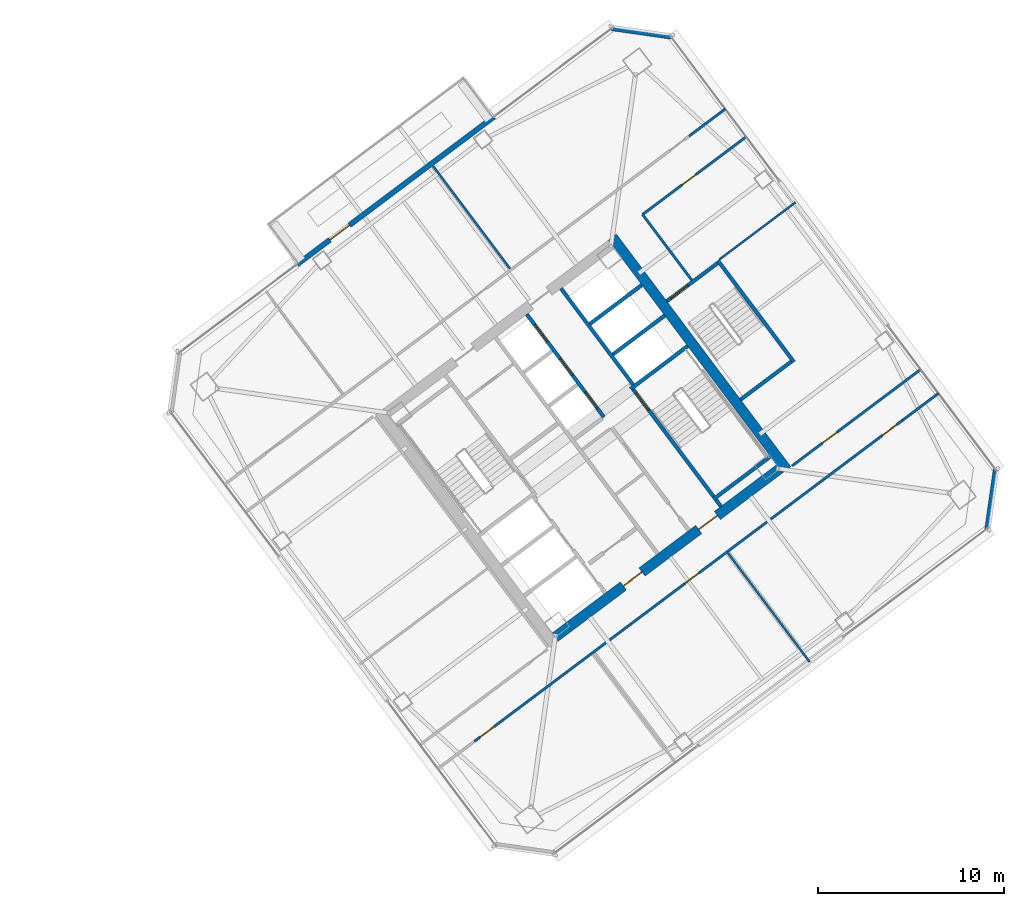
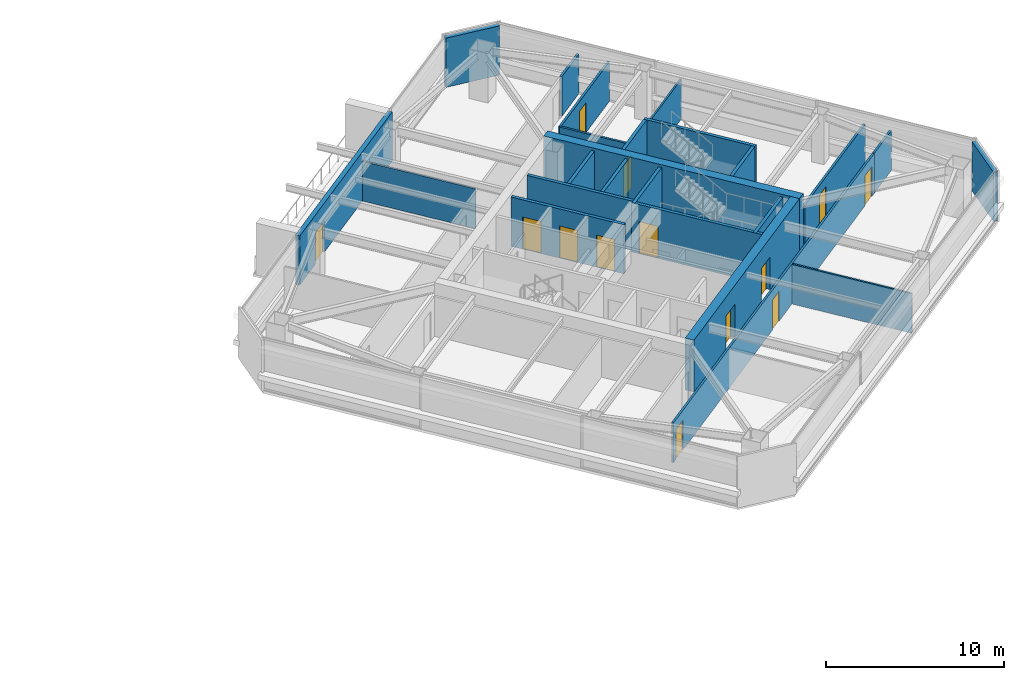
# One storey, part 34 of 41: 24 walls, 13 doors, 13 openings.
"""IFC4 building model written with IfcOpenShell, lengths in metres."""

from ifc_helpers import new_model, si_unit, direction, frame, frame_2d, origin, place, context, subcontext, project, spatial, rectangle, extrude, material, layer, layer_set, type_object, element, fill, save


model = new_model("IFC4")

# Units and contexts
model_context = context("Model", 3, precision=1e-05, world=origin(), true_north=direction((0.0, 1.0)))
body_context = subcontext(model_context, "Body", "Model", "MODEL_VIEW")
ifc_project = project(units=[si_unit("LENGTHUNIT", "METRE"), si_unit("AREAUNIT", "SQUARE_METRE"), si_unit("VOLUMEUNIT", "CUBIC_METRE"), si_unit("PLANEANGLEUNIT", "RADIAN"), si_unit("MASSUNIT", "GRAM", prefix="KILO")], contexts=[model_context])

# Site, building, storey
site_placement = place(None, origin())
site = spatial("IfcSite", under=ifc_project, at=site_placement, CompositionType="ELEMENT")
building_placement = place(site_placement, origin())
building = spatial("IfcBuilding", under=site, at=building_placement, Name="Tashvorn Skyway Center", CompositionType="ELEMENT")
storey_placement = place(building_placement, frame((0.0, 0.0, 192.5)))
storey = spatial("IfcBuildingStorey", under=building, at=storey_placement, Name="L52", CompositionType="ELEMENT", Elevation=192.5)

# Wall
ifc_material_1 = material(Name="Concrete C60/75", Category="concrete")
ifc_layer_1 = layer(ifc_material_1, 0.550048828125)
ifc_layer_set_1 = layer_set([ifc_layer_1], Name="Concrete C60/75")
wall_type_1 = type_object("IfcWallType", Name="WALL-CORE-550", PredefinedType="SHEAR", material=ifc_layer_set_1)
wall_1_placement = place(storey_placement, frame((115.56396484375, 42.923095703125, 0.0), z_axis=(0.0, 0.0, 1.0), x_axis=(0.600005007985, -0.799996243986, 0.0)))
element("IfcWall", 1, at=wall_1_placement, inside=storey, type_object=wall_type_1, Name="Tower 2 L52 East Core Shear Wall", PredefinedType="SHEAR", context=body_context, shape_type="SweptSolid", body=[
    extrude(rectangle(XDim=15.60009765625, YDim=0.550048828125, at=frame_2d((7.800048828125, 0.0))), origin(), (0.0, 0.0, 1.0), 3.550048828125),
])

# Wall, openings, doors
wall_2_placement = place(storey_placement, frame((124.5390625, 30.498046875, 0.0), z_axis=(0.0, 0.0, 1.0), x_axis=(-0.799998054672, -0.600002593761, 0.0)))
wall_2 = element("IfcWall", 2, at=wall_2_placement, inside=storey, type_object=wall_type_1, Name="Tower 2 L52 South Core Shear Wall", PredefinedType="SHEAR", context=body_context, shape_type="SweptSolid", body=[
    extrude(rectangle(XDim=15.06005859375, YDim=0.550048828125, at=frame_2d((7.530029296875, 0.0))), origin(), (0.0, 0.0, 1.0), 3.550048828125),
])
opening_1_placement = place(wall_2_placement, frame((9.22998046875, 0.0, 0.0)))
opening_1 = element("IfcOpeningElement", 3, at=opening_1_placement, cuts=wall_2, Name="Opening D-FFL-1250", PredefinedType="OPENING", context=body_context, shape_type="SweptSolid", body=[
    extrude(rectangle(XDim=1.25, YDim=2.25, at=frame_2d((0.625, 1.125))), frame((0.0, 0.284912109375, 0.0), z_axis=(0.0, -1.0, 0.0), x_axis=(1.0, 0.0, 0.0)), (0.0, 0.0, 1.0), 0.570068359375),
])
opening_2_placement = place(wall_2_placement, frame((4.179931640625, 0.0, 0.0)))
opening_2 = element("IfcOpeningElement", 4, at=opening_2_placement, cuts=wall_2, Name="Opening D-FFL-1250", PredefinedType="OPENING", context=body_context, shape_type="SweptSolid", body=[
    extrude(rectangle(XDim=1.25, YDim=2.25, at=frame_2d((0.625, 1.125))), frame((0.0, 0.284912109375, 0.0), z_axis=(0.0, -1.0, 0.0), x_axis=(1.0, 0.0, 0.0)), (0.0, 0.0, 1.0), 0.570068359375),
])
ifc_material_2 = material(Name="Hollow galvanized steel fire door assembly", Category="steel")
door_type_1 = type_object("IfcDoorType", Name="DOOR-FFL-1250", OperationType="NOTDEFINED", PredefinedType="DOOR", material=ifc_material_2)
door_1_placement = place(opening_1_placement, origin())
door_1 = element("IfcDoor", 5, at=door_1_placement, inside=storey, type_object=door_type_1, Name="Tower 2 L52 Core South Firefighting Exit Door", OperationType="SINGLE_SWING_LEFT", OverallHeight=2.25, OverallWidth=1.25, PredefinedType="DOOR", context=body_context, shape_type="SweptSolid", body=[
    extrude(rectangle(XDim=1.25, YDim=2.25, at=frame_2d((0.625, 1.125))), frame((0.0, 0.02490234375, 0.0), z_axis=(0.0, -1.0, 0.0), x_axis=(1.0, 0.0, 0.0)), (0.0, 0.0, 1.0), 0.050048828125),
])
fill(opening_1, door_1)
door_2_placement = place(opening_2_placement, origin())
door_2 = element("IfcDoor", 6, at=door_2_placement, inside=storey, type_object=door_type_1, Name="Tower 2 L52 Core South Lift Lobby Door", OperationType="SINGLE_SWING_RIGHT", OverallHeight=2.25, OverallWidth=1.25, PredefinedType="DOOR", context=body_context, shape_type="SweptSolid", body=[
    extrude(rectangle(XDim=1.25, YDim=2.25, at=frame_2d((0.625, 1.125))), frame((0.0, 0.02490234375, 0.0), z_axis=(0.0, -1.0, 0.0), x_axis=(1.0, 0.0, 0.0)), (0.0, 0.0, 1.0), 0.050048828125),
])
fill(opening_2, door_2)

# Wall, opening, door
ifc_material_3 = material(Name="Precast concrete C40/50", Category="concrete")
ifc_layer_2 = layer(ifc_material_3, 0.280029296875)
ifc_layer_set_2 = layer_set([ifc_layer_2], Name="Precast concrete C40/50")
wall_type_2 = type_object("IfcWallType", Name="WALL-EXT-280", PredefinedType="SOLIDWALL", material=ifc_layer_set_2)
wall_3_placement = place(storey_placement, frame((98.652099609375, 41.464111328125, 0.0), z_axis=(0.0, 0.0, 1.0), x_axis=(0.799997780501, 0.60000295932, 0.0)))
wall_3 = element("IfcWall", 7, at=wall_3_placement, inside=storey, type_object=wall_type_2, Name="Tower 2 L52 North Sky Garden Loggia Wall", PredefinedType="SOLIDWALL", context=body_context, shape_type="SweptSolid", body=[
    extrude(rectangle(XDim=13.19970703125, YDim=0.280029296875, at=frame_2d((6.599853515625, 0.0))), origin(), (0.0, 0.0, 1.0), 3.3701171875),
])
opening_3_placement = place(wall_3_placement, frame((2.199951171875, 0.0, 0.0)))
opening_3 = element("IfcOpeningElement", 8, at=opening_3_placement, cuts=wall_3, Name="Opening D-TER-1300", PredefinedType="OPENING", context=body_context, shape_type="SweptSolid", body=[
    extrude(rectangle(XDim=1.300048828125, YDim=2.14990234375, at=frame_2d((0.64990234375, 1.074951171875))), frame((0.0, 0.14990234375, 0.0), z_axis=(0.0, -1.0, 0.0), x_axis=(1.0, 0.0, 0.0)), (0.0, 0.0, 1.0), 0.300048828125),
])
ifc_material_4 = material(Name="Thermally broken bronze-anodized aluminium 6063-T6", Category="aluminium")
door_type_2 = type_object("IfcDoorType", Name="DOOR-TERR-1300", OperationType="NOTDEFINED", PredefinedType="DOOR", material=ifc_material_4)
door_3_placement = place(opening_3_placement, origin())
door_3 = element("IfcDoor", 9, at=door_3_placement, inside=storey, type_object=door_type_2, Name="Tower 2 L52 Sky Garden Access Door", OperationType="SINGLE_SWING_LEFT", OverallHeight=2.14990234375, OverallWidth=1.300048828125, PredefinedType="DOOR", context=body_context, shape_type="SweptSolid", body=[
    extrude(rectangle(XDim=1.300048828125, YDim=2.14990234375, at=frame_2d((0.64990234375, 1.074951171875))), frame((0.0, 0.02490234375, 0.0), z_axis=(0.0, -1.0, 0.0), x_axis=(1.0, 0.0, 0.0)), (0.0, 0.0, 1.0), 0.050048828125),
])
fill(opening_3, door_3)

# Walls
for number, where, z_axis, x_axis, name in (
    (10, (115.52001953125, 54.139892578125, 0.0), (0.0, 0.0, 1.0), (0.989950994782, -0.141410847992, 0.0), "Tower 2 L52 NE Precast Chamfer Wall"),
    (11, (136.139892578125, 30.47998046875, 0.0), (0.0, 0.0, 1.0), (-0.141410847992, -0.989950994782, 0.0), "Tower 2 L52 SE Precast Chamfer Wall"),
):
    element("IfcWall", number, at=place(storey_placement, frame(where, z_axis=z_axis, x_axis=x_axis)), inside=storey, type_object=wall_type_2, Name=name, PredefinedType="SOLIDWALL", context=body_context, shape_type="SweptSolid", body=[
        extrude(rectangle(XDim=3.252685546875, YDim=0.280029296875, at=frame_2d((1.62646484375, 0.0))), origin(), (0.0, 0.0, 1.0), 3.3701171875),
    ])
ifc_material_5 = material(Name="Gypsum board on cold-formed steel stud framing", Category="steel")
ifc_layer_3 = layer(ifc_material_5, 0.110107421875)
ifc_layer_set_3 = layer_set([ifc_layer_3], Name="Gypsum board on cold-formed steel stud framing")
wall_type_3 = type_object("IfcWallType", Name="WALL-PART-110", PredefinedType="PARTITIONING", material=ifc_layer_set_3)
wall_4_placement = place(storey_placement, frame((110.070068359375, 41.239990234375, 0.0), z_axis=(0.0, 0.0, 1.0), x_axis=(-0.600022710417, 0.799982966683, 0.0)))
element("IfcWall", 12, at=wall_4_placement, inside=storey, type_object=wall_type_3, Name="Tower 2 L52 North Suite Partition 2", PredefinedType="PARTITIONING", context=body_context, shape_type="SweptSolid", body=[
    extrude(rectangle(XDim=6.880126953125, YDim=0.110107421875, at=frame_2d((3.43994140625, 0.0))), origin(), (0.0, 0.0, 1.0), 2.722900390625),
])
wall_5_placement = place(storey_placement, frame((126.14794921875, 20.135986328125, 0.0), z_axis=(0.0, 0.0, 1.0), x_axis=(-0.599983946797, 0.800012039651, 0.0)))
element("IfcWall", 13, at=wall_5_placement, inside=storey, type_object=wall_type_3, Name="Tower 2 L52 South Suite Partition 2", PredefinedType="PARTITIONING", context=body_context, shape_type="SweptSolid", body=[
    extrude(rectangle(XDim=7.300048828125, YDim=0.110107421875, at=frame_2d((3.64990234375, 0.0))), origin(), (0.0, 0.0, 1.0), 2.722900390625),
])
wall_6_placement = place(storey_placement, frame((125.384033203125, 44.7880859375, 0.0), z_axis=(0.0, 0.0, 1.0), x_axis=(-0.8, -0.6, 0.0)))
element("IfcWall", 14, at=wall_6_placement, inside=storey, type_object=wall_type_3, Name="Tower 2 L52 East Suite Partition 1", PredefinedType="PARTITIONING", context=body_context, shape_type="SweptSolid", body=[
    extrude(rectangle(XDim=5.10009765625, YDim=0.110107421875, at=frame_2d((2.550048828125, 0.0))), origin(), (0.0, 0.0, 1.0), 2.722900390625),
])
ifc_layer_4 = layer(ifc_material_5, 0.135009765625)
ifc_layer_set_4 = layer_set([ifc_layer_4], Name="Gypsum board on cold-formed steel stud framing")
wall_type_4 = type_object("IfcWallType", Name="WALL-PART-135", PredefinedType="PARTITIONING", material=ifc_layer_set_4)
wall_7_placement = place(storey_placement, frame((119.823974609375, 40.617919921875, 0.0), z_axis=(0.0, 0.0, 1.0), x_axis=(-0.599982243973, 0.800013316712, 0.0)))
element("IfcWall", 15, at=wall_7_placement, inside=storey, type_object=wall_type_4, Name="Tower 2 L52 Stair 3 Access Corridor Wall", PredefinedType="PARTITIONING", context=body_context, shape_type="SweptSolid", body=[
    extrude(rectangle(XDim=4.39990234375, YDim=0.135009765625, at=frame_2d((2.199951171875, 0.0))), origin(), (0.0, 0.0, 1.0), 2.722900390625),
])
wall_8_placement = place(storey_placement, frame((119.677978515625, 48.345947265625, 0.0), z_axis=(0.0, 0.0, 1.0), x_axis=(0.800012055778, 0.599983925293, 0.0)))
element("IfcWall", 16, at=wall_8_placement, inside=storey, type_object=wall_type_4, Name="Tower 2 L52 North-East Suite South Wall", PredefinedType="PARTITIONING", context=body_context, shape_type="SweptSolid", body=[
    extrude(rectangle(XDim=2.43017578125, YDim=0.135009765625, at=frame_2d((1.215087890625, 0.0))), origin(), (0.0, 0.0, 1.0), 2.722900390625),
])

# Wall, openings, doors
wall_9_placement = place(storey_placement, frame((131.1201171875, 33.090087890625, 0.0), z_axis=(0.0, 0.0, 1.0), x_axis=(-0.800003062365, -0.599995916825, 0.0)))
wall_9 = element("IfcWall", 17, at=wall_9_placement, inside=storey, type_object=wall_type_4, Name="Tower 2 L52 South Suite Wall", PredefinedType="PARTITIONING", context=body_context, shape_type="SweptSolid", body=[
    extrude(rectangle(XDim=28.7001953125, YDim=0.135009765625, at=frame_2d((14.35009765625, 0.0))), origin(), (0.0, 0.0, 1.0), 2.722900390625),
])
opening_4_placement = place(wall_9_placement, frame((27.3701171875, 0.0, 0.0)))
opening_4 = element("IfcOpeningElement", 18, at=opening_4_placement, cuts=wall_9, Name="Opening D-INT-950", PredefinedType="OPENING", context=body_context, shape_type="SweptSolid", body=[
    extrude(rectangle(XDim=0.949951171875, YDim=2.050048828125, at=frame_2d((0.47509765625, 1.02490234375))), frame((0.0, 0.077392578125, 0.0), z_axis=(0.0, -1.0, 0.0), x_axis=(1.0, 0.0, 0.0)), (0.0, 0.0, 1.0), 0.155029296875),
])
opening_5_placement = place(wall_9_placement, frame((13.63818359375, 0.0, 0.0)))
opening_5 = element("IfcOpeningElement", 19, at=opening_5_placement, cuts=wall_9, Name="Opening D-INT-950", PredefinedType="OPENING", context=body_context, shape_type="SweptSolid", body=[
    extrude(rectangle(XDim=0.949951171875, YDim=2.050048828125, at=frame_2d((0.47509765625, 1.02490234375))), frame((0.0, 0.077392578125, 0.0), z_axis=(0.0, -1.0, 0.0), x_axis=(1.0, 0.0, 0.0)), (0.0, 0.0, 1.0), 0.155029296875),
])
opening_6_placement = place(wall_9_placement, frame((0.3798828125, 0.0, 0.0)))
opening_6 = element("IfcOpeningElement", 20, at=opening_6_placement, cuts=wall_9, Name="Opening D-INT-950", PredefinedType="OPENING", context=body_context, shape_type="SweptSolid", body=[
    extrude(rectangle(XDim=0.949951171875, YDim=2.050048828125, at=frame_2d((0.47509765625, 1.02490234375))), frame((0.0, 0.077392578125, 0.0), z_axis=(0.0, -1.0, 0.0), x_axis=(1.0, 0.0, 0.0)), (0.0, 0.0, 1.0), 0.155029296875),
])
ifc_material_6 = material(Name="Solid-core architectural oak veneer door")
door_type_3 = type_object("IfcDoorType", Name="DOOR-INT-950", OperationType="NOTDEFINED", PredefinedType="DOOR", material=ifc_material_6)
door_4_placement = place(opening_4_placement, origin())
door_4 = element("IfcDoor", 21, at=door_4_placement, inside=storey, type_object=door_type_3, Name="Tower 2 L52 Executive Suite Door", OperationType="SINGLE_SWING_LEFT", OverallHeight=2.050048828125, OverallWidth=0.949951171875, PredefinedType="DOOR", context=body_context, shape_type="SweptSolid", body=[
    extrude(rectangle(XDim=0.949951171875, YDim=2.050048828125, at=frame_2d((0.47509765625, 1.02490234375))), frame((0.0, 0.02490234375, 0.0), z_axis=(0.0, -1.0, 0.0), x_axis=(1.0, 0.0, 0.0)), (0.0, 0.0, 1.0), 0.050048828125),
])
fill(opening_4, door_4)
door_5_placement = place(opening_5_placement, origin())
door_5 = element("IfcDoor", 22, at=door_5_placement, inside=storey, type_object=door_type_3, Name="Tower 2 L52 Boardroom Door", OperationType="SINGLE_SWING_RIGHT", OverallHeight=2.050048828125, OverallWidth=0.949951171875, PredefinedType="DOOR", context=body_context, shape_type="SweptSolid", body=[
    extrude(rectangle(XDim=0.949951171875, YDim=2.050048828125, at=frame_2d((0.47509765625, 1.02490234375))), frame((0.0, 0.02490234375, 0.0), z_axis=(0.0, -1.0, 0.0), x_axis=(1.0, 0.0, 0.0)), (0.0, 0.0, 1.0), 0.050048828125),
])
fill(opening_5, door_5)
door_6_placement = place(opening_6_placement, origin())
door_6 = element("IfcDoor", 23, at=door_6_placement, inside=storey, type_object=door_type_3, Name="Tower 2 L52 Boardroom Door", OperationType="SINGLE_SWING_LEFT", OverallHeight=2.050048828125, OverallWidth=0.949951171875, PredefinedType="DOOR", context=body_context, shape_type="SweptSolid", body=[
    extrude(rectangle(XDim=0.949951171875, YDim=2.050048828125, at=frame_2d((0.47509765625, 1.02490234375))), frame((0.0, 0.02490234375, 0.0), z_axis=(0.0, -1.0, 0.0), x_axis=(1.0, 0.0, 0.0)), (0.0, 0.0, 1.0), 0.050048828125),
])
fill(opening_6, door_6)

# Wall
wall_10_placement = place(storey_placement, frame((131.1201171875, 33.090087890625, 0.0), z_axis=(0.0, 0.0, 1.0), x_axis=(0.799975885537, 0.600032151272, 0.0)))
element("IfcWall", 24, at=wall_10_placement, inside=storey, type_object=wall_type_4, Name="Tower 2 L52 South-East Suite North Wall", PredefinedType="PARTITIONING", context=body_context, shape_type="SweptSolid", body=[
    extrude(rectangle(XDim=2.429931640625, YDim=0.135009765625, at=frame_2d((1.21484375, 0.0))), origin(), (0.0, 0.0, 1.0), 2.722900390625),
])

# Wall, opening, door
wall_11_placement = place(storey_placement, frame((122.743896484375, 48.30810546875, 0.0), z_axis=(0.0, 0.0, 1.0), x_axis=(-0.79997892247, -0.600028102345, 0.0)))
wall_11 = element("IfcWall", 25, at=wall_11_placement, inside=storey, type_object=wall_type_4, Name="Tower 2 L52 East Suite North Wall", PredefinedType="PARTITIONING", context=body_context, shape_type="SweptSolid", body=[
    extrude(rectangle(XDim=6.949951171875, YDim=0.135009765625, at=frame_2d((3.47509765625, 0.0))), origin(), (0.0, 0.0, 1.0), 2.722900390625),
])
opening_7_placement = place(wall_11_placement, frame((3.35009765625, 0.0, 0.0)))
opening_7 = element("IfcOpeningElement", 26, at=opening_7_placement, cuts=wall_11, Name="Opening D-INT-950", PredefinedType="OPENING", context=body_context, shape_type="SweptSolid", body=[
    extrude(rectangle(XDim=0.949951171875, YDim=2.050048828125, at=frame_2d((0.47509765625, 1.02490234375))), frame((0.0, 0.077392578125, 0.0), z_axis=(0.0, -1.0, 0.0), x_axis=(1.0, 0.0, 0.0)), (0.0, 0.0, 1.0), 0.155029296875),
])
door_7_placement = place(opening_7_placement, origin())
door_7 = element("IfcDoor", 27, at=door_7_placement, inside=storey, type_object=door_type_3, Name="Tower 2 L52 Executive Suite Door", OperationType="SINGLE_SWING_RIGHT", OverallHeight=2.050048828125, OverallWidth=0.949951171875, PredefinedType="DOOR", context=body_context, shape_type="SweptSolid", body=[
    extrude(rectangle(XDim=0.949951171875, YDim=2.050048828125, at=frame_2d((0.47509765625, 1.02490234375))), frame((0.0, 0.02490234375, 0.0), z_axis=(0.0, -1.0, 0.0), x_axis=(1.0, 0.0, 0.0)), (0.0, 0.0, 1.0), 0.050048828125),
])
fill(opening_7, door_7)

wall_12_placement = place(storey_placement, frame((125.2080078125, 30.656005859375, 0.0), z_axis=(0.0, 0.0, 1.0), x_axis=(0.800006797429, 0.599990936654, 0.0)))
wall_12 = element("IfcWall", 28, at=wall_12_placement, inside=storey, type_object=wall_type_4, Name="Tower 2 L52 East Suite South Wall", PredefinedType="PARTITIONING", context=body_context, shape_type="SweptSolid", body=[
    extrude(rectangle(XDim=8.619873046875, YDim=0.135009765625, at=frame_2d((4.31005859375, 0.0))), origin(), (0.0, 0.0, 1.0), 2.722900390625),
])
opening_8_placement = place(wall_12_placement, frame((2.044921875, 0.0, 0.0)))
opening_8 = element("IfcOpeningElement", 29, at=opening_8_placement, cuts=wall_12, Name="Opening D-INT-950", PredefinedType="OPENING", context=body_context, shape_type="SweptSolid", body=[
    extrude(rectangle(XDim=0.949951171875, YDim=2.050048828125, at=frame_2d((0.47509765625, 1.02490234375))), frame((0.0, 0.077392578125, 0.0), z_axis=(0.0, -1.0, 0.0), x_axis=(1.0, 0.0, 0.0)), (0.0, 0.0, 1.0), 0.155029296875),
])
door_8_placement = place(opening_8_placement, origin())
door_8 = element("IfcDoor", 30, at=door_8_placement, inside=storey, type_object=door_type_3, Name="Tower 2 L52 Public Restroom Door", OperationType="SINGLE_SWING_LEFT", OverallHeight=2.050048828125, OverallWidth=0.949951171875, PredefinedType="DOOR", context=body_context, shape_type="SweptSolid", body=[
    extrude(rectangle(XDim=0.949951171875, YDim=2.050048828125, at=frame_2d((0.47509765625, 1.02490234375))), frame((0.0, 0.02490234375, 0.0), z_axis=(0.0, -1.0, 0.0), x_axis=(1.0, 0.0, 0.0)), (0.0, 0.0, 1.0), 0.050048828125),
])
fill(opening_8, door_8)

# Walls
ifc_material_7 = material(Name="Concrete C40/50", Category="concrete")
ifc_layer_5 = layer(ifc_material_7, 0.199951171875)
ifc_layer_set_5 = layer_set([ifc_layer_5], Name="Concrete C40/50")
wall_type_5 = type_object("IfcWallType", Name="WALL-SHAFT-200", PredefinedType="SOLIDWALL", material=ifc_layer_set_5)
for number, where, z_axis, x_axis, name in (
    (31, (115.590087890625, 36.6298828125, 0.0), (0.0, 0.0, 1.0), (0.799974743577, 0.600033673754, 0.0), "Tower 2 L52 High-Rise Shaft Divider"),
    (32, (114.360107421875, 38.27001953125, 0.0), (0.0, 0.0, 1.0), (0.800008418847, 0.599988774707, 0.0), "Tower 2 L52 High-Rise Shaft Divider"),
):
    element("IfcWall", number, at=place(storey_placement, frame(where, z_axis=z_axis, x_axis=x_axis)), inside=storey, type_object=wall_type_5, Name=name, PredefinedType="SOLIDWALL", context=body_context, shape_type="SweptSolid", body=[
        extrude(rectangle(XDim=3.47998046875, YDim=0.199951171875, at=frame_2d((1.739990234375, 0.0))), origin(), (0.0, 0.0, 1.0), 3.3701171875),
    ])

# Wall, openings, doors
wall_13_placement = place(storey_placement, frame((115.110107421875, 33.27001953125, 0.0), z_axis=(0.0, 0.0, 1.0), x_axis=(-0.600011322243, 0.799991508192, 0.0)))
wall_13 = element("IfcWall", 33, at=wall_13_placement, inside=storey, type_object=wall_type_5, Name="Tower 2 L52 Mid-Rise Core Wall", PredefinedType="SOLIDWALL", context=body_context, shape_type="SweptSolid", body=[
    extrude(rectangle(XDim=6.900146484375, YDim=0.199951171875, at=frame_2d((3.4501953125, 0.0))), origin(), (0.0, 0.0, 1.0), 3.3701171875),
])
opening_9_placement = place(wall_13_placement, frame((0.574951171875, 0.0, 0.0)))
opening_9 = element("IfcOpeningElement", 34, at=opening_9_placement, cuts=wall_13, Name="Opening LD-MR-T2-1-L52", PredefinedType="OPENING", context=body_context, shape_type="SweptSolid", body=[
    extrude(rectangle(XDim=1.10009765625, YDim=2.199951171875, at=frame_2d((0.550048828125, 1.10009765625))), frame((0.0, 0.10986328125, 0.0), z_axis=(0.0, -1.0, 0.0), x_axis=(1.0, 0.0, 0.0)), (0.0, 0.0, 1.0), 0.219970703125),
])
opening_10_placement = place(wall_13_placement, frame((2.824951171875, 0.0, 0.0)))
opening_10 = element("IfcOpeningElement", 35, at=opening_10_placement, cuts=wall_13, Name="Opening LD-MR-T2-2-L52", PredefinedType="OPENING", context=body_context, shape_type="SweptSolid", body=[
    extrude(rectangle(XDim=1.10009765625, YDim=2.199951171875, at=frame_2d((0.550048828125, 1.10009765625))), frame((0.0, 0.10986328125, 0.0), z_axis=(0.0, -1.0, 0.0), x_axis=(1.0, 0.0, 0.0)), (0.0, 0.0, 1.0), 0.219970703125),
])
opening_11_placement = place(wall_13_placement, frame((5.074951171875, 0.0, 0.0)))
opening_11 = element("IfcOpeningElement", 36, at=opening_11_placement, cuts=wall_13, Name="Opening LD-MR-T2-3-L52", PredefinedType="OPENING", context=body_context, shape_type="SweptSolid", body=[
    extrude(rectangle(XDim=1.10009765625, YDim=2.199951171875, at=frame_2d((0.550048828125, 1.10009765625))), frame((0.0, 0.10986328125, 0.0), z_axis=(0.0, -1.0, 0.0), x_axis=(1.0, 0.0, 0.0)), (0.0, 0.0, 1.0), 0.219970703125),
])
ifc_material_8 = material(Name="Stainless steel landing door", Category="steel")
door_type_4 = type_object("IfcDoorType", Name="DOOR-LIFT-1100", OperationType="SLIDING_TO_LEFT", PredefinedType="DOOR", material=ifc_material_8)
door_9_placement = place(opening_9_placement, origin())
door_9 = element("IfcDoor", 37, at=door_9_placement, inside=storey, type_object=door_type_4, Name="Lift MR-T2-1 L52 Landing Door", OperationType="SLIDING_TO_LEFT", OverallHeight=2.199951171875, OverallWidth=1.10009765625, PredefinedType="DOOR", context=body_context, shape_type="SweptSolid", body=[
    extrude(rectangle(XDim=1.10009765625, YDim=2.199951171875, at=frame_2d((0.550048828125, 1.10009765625))), frame((0.0, 0.02490234375, 0.0), z_axis=(0.0, -1.0, 0.0), x_axis=(1.0, 0.0, 0.0)), (0.0, 0.0, 1.0), 0.050048828125),
])
fill(opening_9, door_9)
door_10_placement = place(opening_10_placement, origin())
door_10 = element("IfcDoor", 38, at=door_10_placement, inside=storey, type_object=door_type_4, Name="Lift MR-T2-2 L52 Landing Door", OperationType="SLIDING_TO_LEFT", OverallHeight=2.199951171875, OverallWidth=1.10009765625, PredefinedType="DOOR", context=body_context, shape_type="SweptSolid", body=[
    extrude(rectangle(XDim=1.10009765625, YDim=2.199951171875, at=frame_2d((0.550048828125, 1.10009765625))), frame((0.0, 0.02490234375, 0.0), z_axis=(0.0, -1.0, 0.0), x_axis=(1.0, 0.0, 0.0)), (0.0, 0.0, 1.0), 0.050048828125),
])
fill(opening_10, door_10)
door_11_placement = place(opening_11_placement, origin())
door_11 = element("IfcDoor", 39, at=door_11_placement, inside=storey, type_object=door_type_4, Name="Lift MR-T2-3 L52 Landing Door", OperationType="SLIDING_TO_LEFT", OverallHeight=2.199951171875, OverallWidth=1.10009765625, PredefinedType="DOOR", context=body_context, shape_type="SweptSolid", body=[
    extrude(rectangle(XDim=1.10009765625, YDim=2.199951171875, at=frame_2d((0.550048828125, 1.10009765625))), frame((0.0, 0.02490234375, 0.0), z_axis=(0.0, -1.0, 0.0), x_axis=(1.0, 0.0, 0.0)), (0.0, 0.0, 1.0), 0.050048828125),
])
fill(opening_11, door_11)

# Wall, opening, door
ifc_layer_6 = layer(ifc_material_7, 0.199951171875)
ifc_layer_set_6 = layer_set([ifc_layer_6], Name="Concrete C40/50")
wall_type_6 = type_object("IfcWallType", Name="WALL-STSHF-200", PredefinedType="SHEAR", material=ifc_layer_set_6)
wall_14_placement = place(storey_placement, frame((116.56005859375, 34.919921875, 0.0), z_axis=(0.0, 0.0, 1.0), x_axis=(0.59999029481, -0.8000072788, 0.0)))
wall_14 = element("IfcWall", 40, at=wall_14_placement, inside=storey, type_object=wall_type_6, Name="Tower 2 L52 Stair 2 Enclosure Wall", PredefinedType="SHEAR", context=body_context, shape_type="SweptSolid", body=[
    extrude(rectangle(XDim=8.0498046875, YDim=0.199951171875, at=frame_2d((4.02490234375, 0.0))), origin(), (0.0, 0.0, 1.0), 3.3701171875),
])
opening_12_placement = place(wall_14_placement, frame((0.449951171875, 0.0, 0.0)))
opening_12 = element("IfcOpeningElement", 41, at=opening_12_placement, cuts=wall_14, Name="Opening D-ST-1150", PredefinedType="OPENING", context=body_context, shape_type="SweptSolid", body=[
    extrude(rectangle(XDim=1.14990234375, YDim=2.199951171875, at=frame_2d((0.574951171875, 1.10009765625))), frame((0.0, 0.10986328125, 0.0), z_axis=(0.0, -1.0, 0.0), x_axis=(1.0, 0.0, 0.0)), (0.0, 0.0, 1.0), 0.219970703125),
])
door_type_5 = type_object("IfcDoorType", Name="DOOR-STAIR-1150", OperationType="NOTDEFINED", PredefinedType="DOOR", material=ifc_material_2)
door_12_placement = place(opening_12_placement, origin())
door_12 = element("IfcDoor", 42, at=door_12_placement, inside=storey, type_object=door_type_5, Name="Tower 2 L52 Exit Stair 2 Door", OperationType="SINGLE_SWING_RIGHT", OverallHeight=2.199951171875, OverallWidth=1.14990234375, PredefinedType="DOOR", context=body_context, shape_type="SweptSolid", body=[
    extrude(rectangle(XDim=1.14990234375, YDim=2.199951171875, at=frame_2d((0.574951171875, 1.10009765625))), frame((0.0, 0.02490234375, 0.0), z_axis=(0.0, -1.0, 0.0), x_axis=(1.0, 0.0, 0.0)), (0.0, 0.0, 1.0), 0.050048828125),
])
fill(opening_12, door_12)

# Walls
for number, where, z_axis, x_axis, name in (
    (43, (116.5400390625, 34.780029296875, 0.0), (0.0, 0.0, 1.0), (0.800015298837, 0.599979601008, 0.0), "Tower 2 L52 Stair 2 North Wall"),
    (44, (120.97998046875, 28.860107421875, 0.0), (0.0, 0.0, 1.0), (0.800015298837, 0.599979601008, 0.0), "Tower 2 L52 Stair 2 South Wall"),
):
    element("IfcWall", number, at=place(storey_placement, frame(where, z_axis=z_axis, x_axis=x_axis)), inside=storey, type_object=wall_type_6, Name=name, PredefinedType="SHEAR", context=body_context, shape_type="SweptSolid", body=[
        extrude(rectangle(XDim=3.829833984375, YDim=0.199951171875, at=frame_2d((1.9150390625, 0.0))), origin(), (0.0, 0.0, 1.0), 3.3701171875),
    ])
wall_15_placement = place(storey_placement, frame((112.81005859375, 40.169921875, 0.0), z_axis=(0.0, 0.0, 1.0), x_axis=(0.599993943644, -0.800004542231, 0.0)))
element("IfcWall", 45, at=wall_15_placement, inside=storey, type_object=wall_type_6, Name="Tower 2 L52 High-Rise Lift Shaft Front Wall", PredefinedType="SHEAR", context=body_context, shape_type="SweptSolid", body=[
    extrude(rectangle(XDim=6.449951171875, YDim=0.199951171875, at=frame_2d((3.22509765625, 0.0))), origin(), (0.0, 0.0, 1.0), 3.3701171875),
])
wall_16_placement = place(storey_placement, frame((125.303955078125, 36.22802734375, 0.0), z_axis=(0.0, 0.0, 1.0), x_axis=(-0.59998851072, 0.800008616831, 0.0)))
element("IfcWall", 46, at=wall_16_placement, inside=storey, type_object=wall_type_6, Name="Tower 2 L52 Stair 3 Outer Wall", PredefinedType="SHEAR", context=body_context, shape_type="SweptSolid", body=[
    extrude(rectangle(XDim=6.7998046875, YDim=0.199951171875, at=frame_2d((3.39990234375, 0.0))), origin(), (0.0, 0.0, 1.0), 3.3701171875),
])

# Wall, opening, door
wall_17_placement = place(storey_placement, frame((121.2041015625, 41.528076171875, 0.0), z_axis=(0.0, 0.0, 1.0), x_axis=(-0.800017232136, -0.599977023131, 0.0)))
wall_17 = element("IfcWall", 47, at=wall_17_placement, inside=storey, type_object=wall_type_6, Name="Tower 2 L52 Stair 3 Enclosure Wall", PredefinedType="SHEAR", context=body_context, shape_type="SweptSolid", body=[
    extrude(rectangle(XDim=3.400146484375, YDim=0.199951171875, at=frame_2d((1.7001953125, 0.0))), origin(), (0.0, 0.0, 1.0), 3.3701171875),
])
opening_13_placement = place(wall_17_placement, frame((1.97509765625, 0.0, 0.0)))
opening_13 = element("IfcOpeningElement", 48, at=opening_13_placement, cuts=wall_17, Name="Opening D-ST-1150", PredefinedType="OPENING", context=body_context, shape_type="SweptSolid", body=[
    extrude(rectangle(XDim=1.14990234375, YDim=2.199951171875, at=frame_2d((0.574951171875, 1.10009765625))), frame((0.0, 0.10986328125, 0.0), z_axis=(0.0, -1.0, 0.0), x_axis=(1.0, 0.0, 0.0)), (0.0, 0.0, 1.0), 0.219970703125),
])
door_13_placement = place(opening_13_placement, origin())
door_13 = element("IfcDoor", 49, at=door_13_placement, inside=storey, type_object=door_type_5, Name="Tower 2 L52 Exit Stair 3 Door", OperationType="SINGLE_SWING_RIGHT", OverallHeight=2.199951171875, OverallWidth=1.14990234375, PredefinedType="DOOR", context=body_context, shape_type="SweptSolid", body=[
    extrude(rectangle(XDim=1.14990234375, YDim=2.199951171875, at=frame_2d((0.574951171875, 1.10009765625))), frame((0.0, 0.02490234375, 0.0), z_axis=(0.0, -1.0, 0.0), x_axis=(1.0, 0.0, 0.0)), (0.0, 0.0, 1.0), 0.050048828125),
])
fill(opening_13, door_13)

# Wall
wall_18_placement = place(storey_placement, frame((122.444091796875, 34.2080078125, 0.0), z_axis=(0.0, 0.0, 1.0), x_axis=(0.79999138319, 0.600011488909, 0.0)))
element("IfcWall", 50, at=wall_18_placement, inside=storey, type_object=wall_type_6, Name="Tower 2 L52 Stair 3 South Wall", PredefinedType="SHEAR", context=body_context, shape_type="SweptSolid", body=[
    extrude(rectangle(XDim=3.39990234375, YDim=0.199951171875, at=frame_2d((1.699951171875, 0.0))), origin(), (0.0, 0.0, 1.0), 3.3701171875),
])

save(model, "model.ifc")
